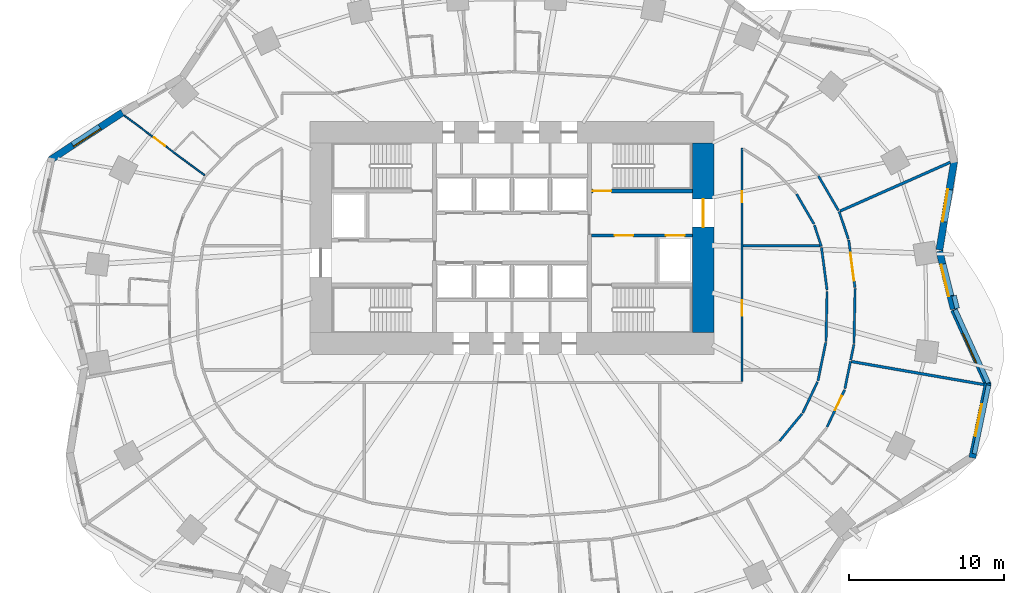
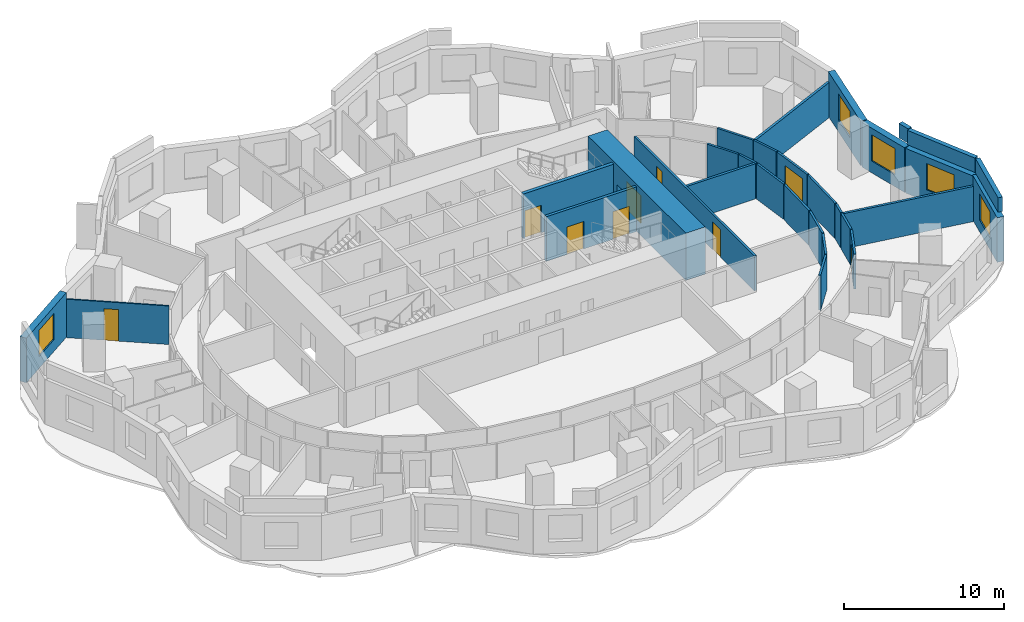
# One storey, part 7 of 11: 30 walls, 9 doors, 5 windows, 14 openings.
"""IFC4 building model written with IfcOpenShell, lengths in metres."""

from ifc_helpers import new_model, si_unit, direction, frame, frame_2d, origin, place, context, subcontext, project, spatial, rectangle, extrude, material, layer, layer_set, type_object, element, fill, save


model = new_model("IFC4")

# Units and contexts
model_context = context("Model", 3, precision=1e-05, world=origin(), true_north=direction((0.0, 1.0)))
body_context = subcontext(model_context, "Body", "Model", "MODEL_VIEW")
ifc_project = project(units=[si_unit("LENGTHUNIT", "METRE"), si_unit("AREAUNIT", "SQUARE_METRE"), si_unit("VOLUMEUNIT", "CUBIC_METRE"), si_unit("PLANEANGLEUNIT", "RADIAN"), si_unit("MASSUNIT", "GRAM", prefix="KILO")], contexts=[model_context])

# Site, building, storey
site_placement = place(None, origin())
site = spatial("IfcSite", under=ifc_project, at=site_placement, CompositionType="ELEMENT")
building_placement = place(site_placement, origin())
building = spatial("IfcBuilding", under=site, at=building_placement, Name="Rubra Terraces Tower", CompositionType="ELEMENT")
storey_placement = place(building_placement, frame((0.0, 0.0, 48.300048828125)))
storey = spatial("IfcBuildingStorey", under=building, at=storey_placement, Name="L09", CompositionType="ELEMENT", Elevation=48.300048828125)

# Walls
ifc_material_1 = material(Name="Twin plasterboard on staggered steel stud, acoustic mineral wool", Category="steel")
ifc_layer_1 = layer(ifc_material_1, 0.175048828125)
ifc_layer_set_1 = layer_set([ifc_layer_1], Name="Twin plasterboard on staggered steel stud, acoustic mineral wool")
wall_type_1 = type_object("IfcWallType", Name="ACOUSTIC PARTY WALL 175", PredefinedType="PARTITIONING", material=ifc_layer_set_1)
wall_1_placement = place(storey_placement, frame((30.36572265625, -4.93603515625, 0.0), z_axis=(0.0, 0.0, 1.0), x_axis=(-0.98521403611, 0.171328056817, 0.0)))
element("IfcWall", 1, at=wall_1_placement, inside=storey, type_object=wall_type_1, Name="PARTITION", PredefinedType="PARTITIONING", context=body_context, shape_type="SweptSolid", body=[
    extrude(rectangle(XDim=8.6396484375, YDim=0.175048828125, at=frame_2d((4.31982421875, 0.0))), origin(), (0.0, 0.0, 1.0), 2.679931640625),
])
wall_2_placement = place(storey_placement, frame((28.212646484375, 9.371337890625, 0.0), z_axis=(0.0, 0.0, 1.0), x_axis=(-0.914345064768, -0.404935923986, 0.0)))
element("IfcWall", 2, at=wall_2_placement, inside=storey, type_object=wall_type_1, Name="PARTITION", PredefinedType="PARTITIONING", context=body_context, shape_type="SweptSolid", body=[
    extrude(rectangle(XDim=7.76318359375, YDim=0.175048828125, at=frame_2d((3.881591796875, 0.0))), origin(), (0.0, 0.0, 1.0), 2.679931640625),
])
wall_3_placement = place(storey_placement, frame((14.875, 4.0, 0.0), z_axis=(0.0, 0.0, 1.0), x_axis=(1.0, 0.0, 0.0)))
element("IfcWall", 3, at=wall_3_placement, inside=storey, type_object=wall_type_1, Name="PARTITION", PredefinedType="PARTITIONING", context=body_context, shape_type="SweptSolid", body=[
    extrude(rectangle(XDim=4.941162109375, YDim=0.175048828125, at=frame_2d((2.470703125, 0.0))), origin(), (0.0, 0.0, 1.0), 2.679931640625),
])

# Wall, opening, window
ifc_material_2 = material(Name="Brick masonry red-brown", Category="masonry")
ifc_layer_2 = layer(ifc_material_2, 0.449951171875)
ifc_layer_set_2 = layer_set([ifc_layer_2], Name="Brick masonry red-brown")
wall_type_2 = type_object("IfcWallType", Name="Brick facade wall 450", PredefinedType="SOLIDWALL", material=ifc_layer_set_2)
wall_4_placement = place(storey_placement, frame((28.421875, -0.074951171875, 0.0), z_axis=(0.0, 0.0, 1.0), x_axis=(-0.239809222807, 0.970820033094, 0.0)))
wall_4 = element("IfcWall", 4, at=wall_4_placement, inside=storey, type_object=wall_type_2, Name="Facade wall L09 bay 1", PredefinedType="SOLIDWALL", context=body_context, shape_type="SweptSolid", body=[
    extrude(rectangle(XDim=3.8359375, YDim=0.449951171875, at=frame_2d((1.91796875, 0.0))), origin(), (0.0, 0.0, 1.0), 3.39990234375),
])
opening_1_placement = place(wall_4_placement, frame((0.867919921875, 0.0, 0.89990234375)))
opening_1 = element("IfcOpeningElement", 5, at=opening_1_placement, cuts=wall_4, Name="Opening W1", PredefinedType="OPENING", context=body_context, shape_type="SweptSolid", body=[
    extrude(rectangle(XDim=2.10009765625, YDim=2.0, at=frame_2d((1.050048828125, 1.0))), frame((0.0, 0.23486328125, 0.0), z_axis=(0.0, -1.0, 0.0), x_axis=(1.0, 0.0, 0.0)), (0.0, 0.0, 1.0), 0.469970703125),
])
ifc_material_3 = material(Name="Clear glass in aluminium frame", Category="aluminium")
window_type = type_object("IfcWindowType", Name="Fixed deep-set window 2100 x 2000", PartitioningType="SINGLE_PANEL", PredefinedType="WINDOW", material=ifc_material_3)
window_1_placement = place(opening_1_placement, origin())
window_1 = element("IfcWindow", 6, at=window_1_placement, inside=storey, type_object=window_type, Name="Window L09 bay 1", OverallHeight=2.0, OverallWidth=2.10009765625, PartitioningType="SINGLE_PANEL", PredefinedType="WINDOW", context=body_context, shape_type="SweptSolid", body=[
    extrude(rectangle(XDim=2.10009765625, YDim=2.0, at=frame_2d((1.050048828125, 1.0))), frame((0.0, 0.135009765625, 0.0), z_axis=(0.0, -1.0, 0.0), x_axis=(1.0, 0.0, 0.0)), (0.0, 0.0, 1.0), 0.06005859375),
])
fill(opening_1, window_1)

wall_5_placement = place(storey_placement, frame((27.50048828125, 3.732177734375, 0.0), z_axis=(0.0, 0.0, 1.0), x_axis=(0.165174419367, 0.986264371853, 0.0)))
wall_5 = element("IfcWall", 7, at=wall_5_placement, inside=storey, type_object=wall_type_2, Name="Facade wall L09 bay 2", PredefinedType="SOLIDWALL", context=body_context, shape_type="SweptSolid", body=[
    extrude(rectangle(XDim=5.76904296875, YDim=0.449951171875, at=frame_2d((2.884521484375, 0.0))), origin(), (0.0, 0.0, 1.0), 3.39990234375),
])
opening_2_placement = place(wall_5_placement, frame((1.83447265625, 0.0, 0.89990234375)))
opening_2 = element("IfcOpeningElement", 8, at=opening_2_placement, cuts=wall_5, Name="Opening W1", PredefinedType="OPENING", context=body_context, shape_type="SweptSolid", body=[
    extrude(rectangle(XDim=2.10009765625, YDim=2.0, at=frame_2d((1.050048828125, 1.0))), frame((0.0, 0.23486328125, 0.0), z_axis=(0.0, -1.0, 0.0), x_axis=(1.0, 0.0, 0.0)), (0.0, 0.0, 1.0), 0.469970703125),
])
window_2_placement = place(opening_2_placement, origin())
window_2 = element("IfcWindow", 9, at=window_2_placement, inside=storey, type_object=window_type, Name="Window L09 bay 2", OverallHeight=2.0, OverallWidth=2.10009765625, PartitioningType="SINGLE_PANEL", PredefinedType="WINDOW", context=body_context, shape_type="SweptSolid", body=[
    extrude(rectangle(XDim=2.10009765625, YDim=2.0, at=frame_2d((1.050048828125, 1.0))), frame((0.0, 0.135009765625, 0.0), z_axis=(0.0, -1.0, 0.0), x_axis=(1.0, 0.0, 0.0)), (0.0, 0.0, 1.0), 0.06005859375),
])
fill(opening_2, window_2)

wall_6_placement = place(storey_placement, frame((-25.06103515625, 12.573974609375, 0.0), z_axis=(0.0, 0.0, 1.0), x_axis=(-0.83520622102, -0.549936876714, 0.0)))
wall_6 = element("IfcWall", 10, at=wall_6_placement, inside=storey, type_object=wall_type_2, Name="Facade wall L09 bay 18", PredefinedType="SOLIDWALL", context=body_context, shape_type="SweptSolid", body=[
    extrude(rectangle(XDim=5.56982421875, YDim=0.449951171875, at=frame_2d((2.784912109375, 0.0))), origin(), (0.0, 0.0, 1.0), 3.39990234375),
])
opening_3_placement = place(wall_6_placement, frame((1.73486328125, 0.0, 0.89990234375)))
opening_3 = element("IfcOpeningElement", 11, at=opening_3_placement, cuts=wall_6, Name="Opening W1", PredefinedType="OPENING", context=body_context, shape_type="SweptSolid", body=[
    extrude(rectangle(XDim=2.10009765625, YDim=2.0, at=frame_2d((1.050048828125, 1.0))), frame((0.0, 0.23486328125, 0.0), z_axis=(0.0, -1.0, 0.0), x_axis=(1.0, 0.0, 0.0)), (0.0, 0.0, 1.0), 0.469970703125),
])
window_3_placement = place(opening_3_placement, origin())
window_3 = element("IfcWindow", 12, at=window_3_placement, inside=storey, type_object=window_type, Name="Window L09 bay 18", OverallHeight=2.0, OverallWidth=2.10009765625, PartitioningType="SINGLE_PANEL", PredefinedType="WINDOW", context=body_context, shape_type="SweptSolid", body=[
    extrude(rectangle(XDim=2.10009765625, YDim=2.0, at=frame_2d((1.050048828125, 1.0))), frame((0.0, 0.135009765625, 0.0), z_axis=(0.0, -1.0, 0.0), x_axis=(1.0, 0.0, 0.0)), (0.0, 0.0, 1.0), 0.06005859375),
])
fill(opening_3, window_3)

wall_7_placement = place(storey_placement, frame((29.62060546875, -9.650146484375, 0.0), z_axis=(0.0, 0.0, 1.0), x_axis=(0.203505836306, 0.979073732969, 0.0)))
wall_7 = element("IfcWall", 13, at=wall_7_placement, inside=storey, type_object=wall_type_2, Name="Facade wall L09 bay 39", PredefinedType="SOLIDWALL", context=body_context, shape_type="SweptSolid", body=[
    extrude(rectangle(XDim=4.913818359375, YDim=0.449951171875, at=frame_2d((2.45703125, 0.0))), origin(), (0.0, 0.0, 1.0), 3.39990234375),
])
opening_4_placement = place(wall_7_placement, frame((1.406982421875, 0.0, 0.89990234375)))
opening_4 = element("IfcOpeningElement", 14, at=opening_4_placement, cuts=wall_7, Name="Opening W1", PredefinedType="OPENING", context=body_context, shape_type="SweptSolid", body=[
    extrude(rectangle(XDim=2.10009765625, YDim=2.0, at=frame_2d((1.050048828125, 1.0))), frame((0.0, 0.23486328125, 0.0), z_axis=(0.0, -1.0, 0.0), x_axis=(1.0, 0.0, 0.0)), (0.0, 0.0, 1.0), 0.469970703125),
])
window_4_placement = place(opening_4_placement, origin())
window_4 = element("IfcWindow", 15, at=window_4_placement, inside=storey, type_object=window_type, Name="Window L09 bay 39", OverallHeight=2.0, OverallWidth=2.10009765625, PartitioningType="SINGLE_PANEL", PredefinedType="WINDOW", context=body_context, shape_type="SweptSolid", body=[
    extrude(rectangle(XDim=2.10009765625, YDim=2.0, at=frame_2d((1.050048828125, 1.0))), frame((0.0, 0.135009765625, 0.0), z_axis=(0.0, -1.0, 0.0), x_axis=(1.0, 0.0, 0.0)), (0.0, 0.0, 1.0), 0.06005859375),
])
fill(opening_4, window_4)

wall_8_placement = place(storey_placement, frame((30.633544921875, -4.972412109375, 0.0), z_axis=(0.0, 0.0, 1.0), x_axis=(-0.412494644758, 0.910960025493, 0.0)))
wall_8 = element("IfcWall", 16, at=wall_8_placement, inside=storey, type_object=wall_type_2, Name="Facade wall L09 bay 40", PredefinedType="SOLIDWALL", context=body_context, shape_type="SweptSolid", body=[
    extrude(rectangle(XDim=5.330322265625, YDim=0.449951171875, at=frame_2d((2.6650390625, 0.0))), origin(), (0.0, 0.0, 1.0), 3.39990234375),
])
opening_5_placement = place(wall_8_placement, frame((1.615234375, 0.0, 0.89990234375)))
opening_5 = element("IfcOpeningElement", 17, at=opening_5_placement, cuts=wall_8, Name="Opening W1", PredefinedType="OPENING", context=body_context, shape_type="SweptSolid", body=[
    extrude(rectangle(XDim=2.10009765625, YDim=2.0, at=frame_2d((1.050048828125, 1.0))), frame((0.0, 0.23486328125, 0.0), z_axis=(0.0, -1.0, 0.0), x_axis=(1.0, 0.0, 0.0)), (0.0, 0.0, 1.0), 0.469970703125),
])
window_5_placement = place(opening_5_placement, origin())
window_5 = element("IfcWindow", 18, at=window_5_placement, inside=storey, type_object=window_type, Name="Window L09 bay 40", OverallHeight=2.0, OverallWidth=2.10009765625, PartitioningType="SINGLE_PANEL", PredefinedType="WINDOW", context=body_context, shape_type="SweptSolid", body=[
    extrude(rectangle(XDim=2.10009765625, YDim=2.0, at=frame_2d((1.050048828125, 1.0))), frame((0.0, 0.135009765625, 0.0), z_axis=(0.0, -1.0, 0.0), x_axis=(1.0, 0.0, 0.0)), (0.0, 0.0, 1.0), 0.06005859375),
])
fill(opening_5, window_5)

# Walls
ifc_layer_3 = layer(ifc_material_2, 0.300048828125)
ifc_layer_set_3 = layer_set([ifc_layer_3], Name="Brick masonry red-brown")
wall_type_3 = type_object("IfcWallType", Name="Brick parapet 300", PredefinedType="PARAPET", material=ifc_layer_set_3)
wall_9_placement = place(storey_placement, frame((28.64208984375, -0.029296875, 3.599853515625), z_axis=(0.0, 0.0, 1.0), x_axis=(-0.239775825721, 0.970828282138, 0.0)))
element("IfcWall", 19, at=wall_9_placement, inside=storey, type_object=wall_type_3, Name="Parapet L09 bay 1", PredefinedType="PARAPET", context=body_context, shape_type="SweptSolid", body=[
    extrude(rectangle(XDim=0.8330078125, YDim=0.300048828125, at=frame_2d((0.41650390625, 0.0))), origin(), (0.0, 0.0, 1.0), 1.10009765625),
])
wall_10_placement = place(storey_placement, frame((29.75146484375, -9.389892578125, 3.599853515625), z_axis=(0.0, 0.0, 1.0), x_axis=(0.203510555438, 0.97907275206, 0.0)))
element("IfcWall", 20, at=wall_10_placement, inside=storey, type_object=wall_type_3, Name="Parapet L09 bay 39", PredefinedType="PARAPET", context=body_context, shape_type="SweptSolid", body=[
    extrude(rectangle(XDim=4.504638671875, YDim=0.300048828125, at=frame_2d((2.25244140625, 0.0))), origin(), (0.0, 0.0, 1.0), 1.10009765625),
])
wall_11_placement = place(storey_placement, frame((30.651611328125, -4.830322265625, 3.599853515625), z_axis=(0.0, 0.0, 1.0), x_axis=(-0.412522333553, 0.910947487136, 0.0)))
element("IfcWall", 21, at=wall_11_placement, inside=storey, type_object=wall_type_3, Name="Parapet L09 bay 40", PredefinedType="PARAPET", context=body_context, shape_type="SweptSolid", body=[
    extrude(rectangle(XDim=5.172607421875, YDim=0.300048828125, at=frame_2d((2.58642578125, 0.0))), origin(), (0.0, 0.0, 1.0), 1.10009765625),
])

# Wall, opening, door
ifc_material_4 = material(Name="Concrete C70", Category="concrete")
ifc_layer_4 = layer(ifc_material_4, 1.39990234375)
ifc_layer_set_4 = layer_set([ifc_layer_4], Name="Concrete C70")
wall_type_4 = type_object("IfcWallType", Name="CORE WALL 1400 C70", PredefinedType="SHEAR", material=ifc_layer_set_4)
wall_12_placement = place(storey_placement, frame((12.300048828125, -1.60009765625, 0.0), z_axis=(0.0, 0.0, 1.0), x_axis=(0.0, 1.0, 0.0)))
wall_12 = element("IfcWall", 22, at=wall_12_placement, inside=storey, type_object=wall_type_4, Name="CORE WALL E L09", PredefinedType="SHEAR", context=body_context, shape_type="SweptSolid", body=[
    extrude(rectangle(XDim=12.2001953125, YDim=1.39990234375, at=frame_2d((6.10009765625, 0.0))), origin(), (0.0, 0.0, 1.0), 3.599853515625),
])
opening_6_placement = place(wall_12_placement, frame((6.800048828125, 0.0, 0.0)))
opening_6 = element("IfcOpeningElement", 23, at=opening_6_placement, cuts=wall_12, Name="Opening L09.C02", PredefinedType="OPENING", context=body_context, shape_type="SweptSolid", body=[
    extrude(rectangle(XDim=1.800048828125, YDim=2.10009765625, at=frame_2d((0.89990234375, 1.050048828125))), frame((0.0, 0.7099609375, 0.0), z_axis=(0.0, -1.0, 0.0), x_axis=(1.0, 0.0, 0.0)), (0.0, 0.0, 1.0), 1.419921875),
])
ifc_material_5 = material(Name="Painted steel", Category="steel")
door_type_1 = type_object("IfcDoorType", Name="Fire door 1800x2100 double", OperationType="NOTDEFINED", PredefinedType="DOOR", material=ifc_material_5)
door_1_placement = place(opening_6_placement, origin())
door_1 = element("IfcDoor", 24, at=door_1_placement, inside=storey, type_object=door_type_1, Name="Core entrance door FF2", OperationType="DOUBLE_DOOR_SINGLE_SWING", OverallHeight=2.10009765625, OverallWidth=1.800048828125, PredefinedType="DOOR", context=body_context, shape_type="SweptSolid", body=[
    extrude(rectangle(XDim=1.800048828125, YDim=2.10009765625, at=frame_2d((0.89990234375, 1.050048828125))), frame((0.0, 0.02490234375, 0.0), z_axis=(0.0, -1.0, 0.0), x_axis=(1.0, 0.0, 0.0)), (0.0, 0.0, 1.0), 0.050048828125),
])
fill(opening_6, door_1)

ifc_material_6 = material(Name="Plasterboard on steel stud, mineral wool infill", Category="steel")
ifc_layer_5 = layer(ifc_material_6, 0.14990234375)
ifc_layer_set_5 = layer_set([ifc_layer_5], Name="Plasterboard on steel stud, mineral wool infill")
wall_type_5 = type_object("IfcWallType", Name="CORRIDOR PARTITION 150", PredefinedType="PARTITIONING", material=ifc_layer_set_5)
wall_13_placement = place(storey_placement, frame((20.2705078125, -7.669677734375, 0.0), z_axis=(0.0, 0.0, 1.0), x_axis=(0.427995478521, 0.903780875193, 0.0)))
wall_13 = element("IfcWall", 25, at=wall_13_placement, inside=storey, type_object=wall_type_5, Name="PARTITION", PredefinedType="PARTITIONING", context=body_context, shape_type="SweptSolid", body=[
    extrude(rectangle(XDim=2.656494140625, YDim=0.14990234375, at=frame_2d((1.328125, 0.0))), origin(), (0.0, 0.0, 1.0), 2.679931640625),
])
opening_7_placement = place(wall_13_placement, frame((1.199951171875, 0.0, 0.0)))
opening_7 = element("IfcOpeningElement", 26, at=opening_7_placement, cuts=wall_13, Name="Opening 09-125", PredefinedType="OPENING", context=body_context, shape_type="SweptSolid", body=[
    extrude(rectangle(XDim=1.0, YDim=2.10009765625, at=frame_2d((0.5, 1.050048828125))), frame((0.0, 0.0849609375, 0.0), z_axis=(0.0, -1.0, 0.0), x_axis=(1.0, 0.0, 0.0)), (0.0, 0.0, 1.0), 0.169921875),
])
ifc_material_7 = material(Name="Painted timber door leaf", Category="wood")
door_type_2 = type_object("IfcDoorType", Name="ROOM DOOR 1000 X 2100", OperationType="SINGLE_SWING_LEFT", PredefinedType="DOOR", material=ifc_material_7)
door_2_placement = place(opening_7_placement, origin())
door_2 = element("IfcDoor", 27, at=door_2_placement, inside=storey, type_object=door_type_2, Name="DOOR 09-125", OperationType="SINGLE_SWING_RIGHT", OverallHeight=2.10009765625, OverallWidth=1.0, PredefinedType="DOOR", context=body_context, shape_type="SweptSolid", body=[
    extrude(rectangle(XDim=1.0, YDim=2.10009765625, at=frame_2d((0.5, 1.050048828125))), frame((0.0, 0.02490234375, 0.0), z_axis=(0.0, -1.0, 0.0), x_axis=(1.0, 0.0, 0.0)), (0.0, 0.0, 1.0), 0.050048828125),
])
fill(opening_7, door_2)

# Walls
wall_14_placement = place(storey_placement, frame((21.422607421875, -5.1953125, 0.0), z_axis=(0.0, 0.0, 1.0), x_axis=(0.199711278169, 0.979854787901, 0.0)))
element("IfcWall", 28, at=wall_14_placement, inside=storey, type_object=wall_type_5, Name="PARTITION", PredefinedType="PARTITIONING", context=body_context, shape_type="SweptSolid", body=[
    extrude(rectangle(XDim=1.78857421875, YDim=0.14990234375, at=frame_2d((0.894287109375, 0.0))), origin(), (0.0, 0.0, 1.0), 2.679931640625),
])
wall_15_placement = place(storey_placement, frame((21.794921875, -3.369384765625, 0.0), z_axis=(0.0, 0.0, 1.0), x_axis=(0.199793439504, 0.979838038418, 0.0)))
element("IfcWall", 29, at=wall_15_placement, inside=storey, type_object=wall_type_5, Name="PARTITION", PredefinedType="PARTITIONING", context=body_context, shape_type="SweptSolid", body=[
    extrude(rectangle(XDim=1.03369140625, YDim=0.14990234375, at=frame_2d((0.516845703125, 0.0))), origin(), (0.0, 0.0, 1.0), 2.679931640625),
])
wall_16_placement = place(storey_placement, frame((22.003173828125, -2.281494140625, 0.0), z_axis=(0.0, 0.0, 1.0), x_axis=(0.021172866829, 0.999775829729, 0.0)))
element("IfcWall", 30, at=wall_16_placement, inside=storey, type_object=wall_type_5, Name="PARTITION", PredefinedType="PARTITIONING", context=body_context, shape_type="SweptSolid", body=[
    extrude(rectangle(XDim=3.516845703125, YDim=0.14990234375, at=frame_2d((1.75830078125, 0.0))), origin(), (0.0, 0.0, 1.0), 2.679931640625),
])

# Wall, opening, door
wall_17_placement = place(storey_placement, frame((22.06787109375, 1.30908203125, 0.0), z_axis=(0.0, 0.0, 1.0), x_axis=(-0.129922755307, 0.991524118543, 0.0)))
wall_17 = element("IfcWall", 31, at=wall_17_placement, inside=storey, type_object=wall_type_5, Name="PARTITION", PredefinedType="PARTITIONING", context=body_context, shape_type="SweptSolid", body=[
    extrude(rectangle(XDim=3.076171875, YDim=0.14990234375, at=frame_2d((1.5380859375, 0.0))), origin(), (0.0, 0.0, 1.0), 2.679931640625),
])
opening_8_placement = place(wall_17_placement, frame((0.449951171875, 0.0, 0.0)))
opening_8 = element("IfcOpeningElement", 32, at=opening_8_placement, cuts=wall_17, Name="Opening 09-126", PredefinedType="OPENING", context=body_context, shape_type="SweptSolid", body=[
    extrude(rectangle(XDim=1.800048828125, YDim=2.10009765625, at=frame_2d((0.89990234375, 1.050048828125))), frame((0.0, 0.0849609375, 0.0), z_axis=(0.0, -1.0, 0.0), x_axis=(1.0, 0.0, 0.0)), (0.0, 0.0, 1.0), 0.169921875),
])
ifc_material_8 = material(Name="Painted timber door leaf, double", Category="wood")
door_type_3 = type_object("IfcDoorType", Name="ROOM DOUBLE DOOR 1800 X 2100", OperationType="DOUBLE_DOOR_SINGLE_SWING", PredefinedType="DOOR", material=ifc_material_8)
door_3_placement = place(opening_8_placement, origin())
door_3 = element("IfcDoor", 33, at=door_3_placement, inside=storey, type_object=door_type_3, Name="DOOR 09-126", OperationType="DOUBLE_DOOR_SINGLE_SWING", OverallHeight=2.10009765625, OverallWidth=1.800048828125, PredefinedType="DOOR", context=body_context, shape_type="SweptSolid", body=[
    extrude(rectangle(XDim=1.800048828125, YDim=2.10009765625, at=frame_2d((0.89990234375, 1.050048828125))), frame((0.0, 0.02490234375, 0.0), z_axis=(0.0, -1.0, 0.0), x_axis=(1.0, 0.0, 0.0)), (0.0, 0.0, 1.0), 0.050048828125),
])
fill(opening_8, door_3)

# Walls
wall_18_placement = place(storey_placement, frame((21.644287109375, 4.43017578125, 0.0), z_axis=(0.0, 0.0, 1.0), x_axis=(-0.320738869387, 0.9471676608, 0.0)))
element("IfcWall", 34, at=wall_18_placement, inside=storey, type_object=wall_type_5, Name="PARTITION", PredefinedType="PARTITIONING", context=body_context, shape_type="SweptSolid", body=[
    extrude(rectangle(XDim=1.86572265625, YDim=0.14990234375, at=frame_2d((0.932861328125, 0.0))), origin(), (0.0, 0.0, 1.0), 2.679931640625),
])
wall_19_placement = place(storey_placement, frame((21.00830078125, 6.26220703125, 0.0), z_axis=(0.0, 0.0, 1.0), x_axis=(-0.502366583903, 0.864654737671, 0.0)))
element("IfcWall", 35, at=wall_19_placement, inside=storey, type_object=wall_type_5, Name="PARTITION", PredefinedType="PARTITIONING", context=body_context, shape_type="SweptSolid", body=[
    extrude(rectangle(XDim=2.57421875, YDim=0.14990234375, at=frame_2d((1.287109375, 0.0))), origin(), (0.0, 0.0, 1.0), 2.679931640625),
])

# Wall, openings, doors
wall_20_placement = place(storey_placement, frame((14.800048828125, -4.72509765625, 0.0), z_axis=(0.0, 0.0, 1.0), x_axis=(0.0, 1.0, 0.0)))
wall_20 = element("IfcWall", 36, at=wall_20_placement, inside=storey, type_object=wall_type_5, Name="PARTITION", PredefinedType="PARTITIONING", context=body_context, shape_type="SweptSolid", body=[
    extrude(rectangle(XDim=15.00830078125, YDim=0.14990234375, at=frame_2d((7.504150390625, 0.0))), origin(), (0.0, 0.0, 1.0), 2.679931640625),
])
opening_9_placement = place(wall_20_placement, frame((11.51611328125, 0.0, 0.0)))
opening_9 = element("IfcOpeningElement", 37, at=opening_9_placement, cuts=wall_20, Name="Opening 09-135", PredefinedType="OPENING", context=body_context, shape_type="SweptSolid", body=[
    extrude(rectangle(XDim=0.699951171875, YDim=2.10009765625, at=frame_2d((0.35009765625, 1.050048828125))), frame((0.0, 0.0849609375, 0.0), z_axis=(0.0, -1.0, 0.0), x_axis=(1.0, 0.0, 0.0)), (0.0, 0.0, 1.0), 0.169921875),
])
opening_10_placement = place(wall_20_placement, frame((4.22509765625, 0.0, 0.0)))
opening_10 = element("IfcOpeningElement", 38, at=opening_10_placement, cuts=wall_20, Name="Opening 09-136", PredefinedType="OPENING", context=body_context, shape_type="SweptSolid", body=[
    extrude(rectangle(XDim=1.0, YDim=2.10009765625, at=frame_2d((0.5, 1.050048828125))), frame((0.0, 0.0849609375, 0.0), z_axis=(0.0, -1.0, 0.0), x_axis=(1.0, 0.0, 0.0)), (0.0, 0.0, 1.0), 0.169921875),
])
door_4_placement = place(opening_10_placement, origin())
door_4 = element("IfcDoor", 39, at=door_4_placement, inside=storey, type_object=door_type_2, Name="DOOR 09-136", OperationType="SINGLE_SWING_RIGHT", OverallHeight=2.10009765625, OverallWidth=1.0, PredefinedType="DOOR", context=body_context, shape_type="SweptSolid", body=[
    extrude(rectangle(XDim=1.0, YDim=2.10009765625, at=frame_2d((0.5, 1.050048828125))), frame((0.0, 0.02490234375, 0.0), z_axis=(0.0, -1.0, 0.0), x_axis=(1.0, 0.0, 0.0)), (0.0, 0.0, 1.0), 0.050048828125),
])
fill(opening_10, door_4)
door_type_4 = type_object("IfcDoorType", Name="STORE DOOR 700 X 2100", OperationType="SINGLE_SWING_LEFT", PredefinedType="DOOR", material=ifc_material_7)
door_5_placement = place(opening_9_placement, origin())
door_5 = element("IfcDoor", 40, at=door_5_placement, inside=storey, type_object=door_type_4, Name="DOOR 09-135", OperationType="SINGLE_SWING_RIGHT", OverallHeight=2.10009765625, OverallWidth=0.699951171875, PredefinedType="DOOR", context=body_context, shape_type="SweptSolid", body=[
    extrude(rectangle(XDim=0.699951171875, YDim=2.10009765625, at=frame_2d((0.35009765625, 1.050048828125))), frame((0.0, 0.02490234375, 0.0), z_axis=(0.0, -1.0, 0.0), x_axis=(1.0, 0.0, 0.0)), (0.0, 0.0, 1.0), 0.050048828125),
])
fill(opening_9, door_5)

# Walls
wall_21_placement = place(storey_placement, frame((18.306396484375, 7.329345703125, 0.0), z_axis=(0.0, 0.0, 1.0), x_axis=(0.502425081691, -0.864620747662, 0.0)))
element("IfcWall", 41, at=wall_21_placement, inside=storey, type_object=wall_type_5, Name="PARTITION", PredefinedType="PARTITIONING", context=body_context, shape_type="SweptSolid", body=[
    extrude(rectangle(XDim=2.2373046875, YDim=0.14990234375, at=frame_2d((1.11865234375, 0.0))), origin(), (0.0, 0.0, 1.0), 2.679931640625),
])
wall_22_placement = place(storey_placement, frame((19.453857421875, 5.32373046875, 0.0), z_axis=(0.0, 0.0, 1.0), x_axis=(0.313632756375, -0.949544361327, 0.0)))
element("IfcWall", 42, at=wall_22_placement, inside=storey, type_object=wall_type_5, Name="PARTITION", PredefinedType="PARTITIONING", context=body_context, shape_type="SweptSolid", body=[
    extrude(rectangle(XDim=1.440185546875, YDim=0.14990234375, at=frame_2d((0.72021484375, 0.0))), origin(), (0.0, 0.0, 1.0), 2.679931640625),
])
wall_23_placement = place(storey_placement, frame((19.915283203125, 3.882080078125, 0.0), z_axis=(0.0, 0.0, 1.0), x_axis=(0.129945947446, -0.991521079323, 0.0)))
element("IfcWall", 43, at=wall_23_placement, inside=storey, type_object=wall_type_5, Name="PARTITION", PredefinedType="PARTITIONING", context=body_context, shape_type="SweptSolid", body=[
    extrude(rectangle(XDim=2.769287109375, YDim=0.14990234375, at=frame_2d((1.384765625, 0.0))), origin(), (0.0, 0.0, 1.0), 2.679931640625),
])
wall_24_placement = place(storey_placement, frame((20.2734375, 1.061279296875, 0.0), z_axis=(0.0, 0.0, 1.0), x_axis=(-0.021166906337, -0.99977595594, 0.0)))
element("IfcWall", 44, at=wall_24_placement, inside=storey, type_object=wall_type_5, Name="PARTITION", PredefinedType="PARTITIONING", context=body_context, shape_type="SweptSolid", body=[
    extrude(rectangle(XDim=3.218017578125, YDim=0.14990234375, at=frame_2d((1.60888671875, 0.0))), origin(), (0.0, 0.0, 1.0), 2.679931640625),
])
wall_25_placement = place(storey_placement, frame((20.190185546875, -2.2294921875, 0.0), z_axis=(0.0, 0.0, 1.0), x_axis=(-0.199752828647, -0.97984631828, 0.0)))
element("IfcWall", 45, at=wall_25_placement, inside=storey, type_object=wall_type_5, Name="PARTITION", PredefinedType="PARTITIONING", context=body_context, shape_type="SweptSolid", body=[
    extrude(rectangle(XDim=2.5166015625, YDim=0.14990234375, at=frame_2d((1.25830078125, 0.0))), origin(), (0.0, 0.0, 1.0), 2.679931640625),
])
wall_26_placement = place(storey_placement, frame((19.6552734375, -4.76318359375, 0.0), z_axis=(0.0, 0.0, 1.0), x_axis=(-0.427972604023, -0.903791707312, 0.0)))
element("IfcWall", 46, at=wall_26_placement, inside=storey, type_object=wall_type_5, Name="PARTITION", PredefinedType="PARTITIONING", context=body_context, shape_type="SweptSolid", body=[
    extrude(rectangle(XDim=2.214599609375, YDim=0.14990234375, at=frame_2d((1.107421875, 0.0))), origin(), (0.0, 0.0, 1.0), 2.679931640625),
])
wall_27_placement = place(storey_placement, frame((18.659912109375, -6.822509765625, 0.0), z_axis=(0.0, 0.0, 1.0), x_axis=(-0.636575205534, -0.771214631409, 0.0)))
element("IfcWall", 47, at=wall_27_placement, inside=storey, type_object=wall_type_5, Name="PARTITION", PredefinedType="PARTITIONING", context=body_context, shape_type="SweptSolid", body=[
    extrude(rectangle(XDim=2.2666015625, YDim=0.14990234375, at=frame_2d((1.13330078125, 0.0))), origin(), (0.0, 0.0, 1.0), 2.679931640625),
])

# Wall, openings, doors
ifc_material_9 = material(Name="Concrete C30", Category="concrete")
ifc_layer_6 = layer(ifc_material_9, 0.199951171875)
ifc_layer_set_6 = layer_set([ifc_layer_6], Name="Concrete C30")
wall_type_6 = type_object("IfcWallType", Name="Core wall 200 concrete", PredefinedType="SOLIDWALL", material=ifc_layer_set_6)
wall_28_placement = place(storey_placement, frame((11.60009765625, 4.64990234375, 0.0), z_axis=(0.0, 0.0, 1.0), x_axis=(-1.0, 0.0, 0.0)))
wall_28 = element("IfcWall", 48, at=wall_28_placement, inside=storey, type_object=wall_type_6, Name="STAIR WALL L09", PredefinedType="SOLIDWALL", context=body_context, shape_type="SweptSolid", body=[
    extrude(rectangle(XDim=6.5, YDim=0.199951171875, at=frame_2d((3.25, 0.0))), origin(), (0.0, 0.0, 1.0), 3.39990234375),
])
opening_11_placement = place(wall_28_placement, frame((3.800048828125, 0.0, 0.0)))
opening_11 = element("IfcOpeningElement", 49, at=opening_11_placement, cuts=wall_28, Name="Opening L09.C06", PredefinedType="OPENING", context=body_context, shape_type="SweptSolid", body=[
    extrude(rectangle(XDim=1.199951171875, YDim=2.10009765625, at=frame_2d((0.60009765625, 1.050048828125))), frame((0.0, 0.10986328125, 0.0), z_axis=(0.0, -1.0, 0.0), x_axis=(1.0, 0.0, 0.0)), (0.0, 0.0, 1.0), 0.219970703125),
])
opening_12_placement = place(wall_28_placement, frame((0.5, 0.0, 0.0)))
opening_12 = element("IfcOpeningElement", 50, at=opening_12_placement, cuts=wall_28, Name="Opening L09.C12", PredefinedType="OPENING", context=body_context, shape_type="SweptSolid", body=[
    extrude(rectangle(XDim=1.199951171875, YDim=2.10009765625, at=frame_2d((0.60009765625, 1.050048828125))), frame((0.0, 0.10986328125, 0.0), z_axis=(0.0, -1.0, 0.0), x_axis=(1.0, 0.0, 0.0)), (0.0, 0.0, 1.0), 0.219970703125),
])
door_type_5 = type_object("IfcDoorType", Name="Fire door 1200x2100 single", OperationType="NOTDEFINED", PredefinedType="DOOR", material=ifc_material_5)
door_6_placement = place(opening_11_placement, origin())
door_6 = element("IfcDoor", 51, at=door_6_placement, inside=storey, type_object=door_type_5, Name="Stair vestibule door S4", OperationType="SINGLE_SWING_RIGHT", OverallHeight=2.10009765625, OverallWidth=1.199951171875, PredefinedType="DOOR", context=body_context, shape_type="SweptSolid", body=[
    extrude(rectangle(XDim=1.199951171875, YDim=2.10009765625, at=frame_2d((0.60009765625, 1.050048828125))), frame((0.0, 0.02490234375, 0.0), z_axis=(0.0, -1.0, 0.0), x_axis=(1.0, 0.0, 0.0)), (0.0, 0.0, 1.0), 0.050048828125),
])
fill(opening_11, door_6)
ifc_material_10 = material(Name="Stainless steel", Category="steel")
door_type_6 = type_object("IfcDoorType", Name="Lift landing door 1200x2100", OperationType="NOTDEFINED", PredefinedType="DOOR", material=ifc_material_10)
door_7_placement = place(opening_12_placement, origin())
door_7 = element("IfcDoor", 52, at=door_7_placement, inside=storey, type_object=door_type_6, Name="Landing door FF2", OperationType="SLIDING_TO_RIGHT", OverallHeight=2.10009765625, OverallWidth=1.199951171875, PredefinedType="DOOR", context=body_context, shape_type="SweptSolid", body=[
    extrude(rectangle(XDim=1.199951171875, YDim=2.10009765625, at=frame_2d((0.60009765625, 1.050048828125))), frame((0.0, 0.02490234375, 0.0), z_axis=(0.0, -1.0, 0.0), x_axis=(1.0, 0.0, 0.0)), (0.0, 0.0, 1.0), 0.050048828125),
])
fill(opening_12, door_7)

# Wall, opening, door
ifc_material_11 = material(Name="Plasterboard on steel stud", Category="steel")
ifc_layer_7 = layer(ifc_material_11, 0.10009765625)
ifc_layer_set_7 = layer_set([ifc_layer_7], Name="Plasterboard on steel stud")
wall_type_7 = type_object("IfcWallType", Name="ROOM PARTITION 100", PredefinedType="PARTITIONING", material=ifc_layer_set_7)
wall_29_placement = place(storey_placement, frame((-24.9462890625, 12.375, 0.0), z_axis=(0.0, 0.0, 1.0), x_axis=(0.802204519976, -0.597049334754, 0.0)))
wall_29 = element("IfcWall", 53, at=wall_29_placement, inside=storey, type_object=wall_type_7, Name="PARTITION", PredefinedType="PARTITIONING", context=body_context, shape_type="SweptSolid", body=[
    extrude(rectangle(XDim=6.44287109375, YDim=0.10009765625, at=frame_2d((3.221435546875, 0.0))), origin(), (0.0, 0.0, 1.0), 2.933837890625),
])
opening_13_placement = place(wall_29_placement, frame((2.367919921875, 0.0, 0.0)))
opening_13 = element("IfcOpeningElement", 54, at=opening_13_placement, cuts=wall_29, Name="Opening 09-108", PredefinedType="OPENING", context=body_context, shape_type="SweptSolid", body=[
    extrude(rectangle(XDim=0.89990234375, YDim=2.39990234375, at=frame_2d((0.449951171875, 1.199951171875))), frame((0.0, 0.06005859375, 0.0), z_axis=(0.0, -1.0, 0.0), x_axis=(1.0, 0.0, 0.0)), (0.0, 0.0, 1.0), 0.1201171875),
])
ifc_material_12 = material(Name="Veneered timber door leaf, fire-rated", Category="wood")
door_type_7 = type_object("IfcDoorType", Name="SUITE ENTRANCE DOOR 900 X 2400", OperationType="SINGLE_SWING_LEFT", PredefinedType="DOOR", material=ifc_material_12)
door_8_placement = place(opening_13_placement, origin())
door_8 = element("IfcDoor", 55, at=door_8_placement, inside=storey, type_object=door_type_7, Name="DOOR 09-108", OperationType="SINGLE_SWING_LEFT", OverallHeight=2.39990234375, OverallWidth=0.89990234375, PredefinedType="DOOR", context=body_context, shape_type="SweptSolid", body=[
    extrude(rectangle(XDim=0.89990234375, YDim=2.39990234375, at=frame_2d((0.449951171875, 1.199951171875))), frame((0.0, 0.02490234375, 0.0), z_axis=(0.0, -1.0, 0.0), x_axis=(1.0, 0.0, 0.0)), (0.0, 0.0, 1.0), 0.050048828125),
])
fill(opening_13, door_8)

ifc_material_13 = material(Name="Concrete C40", Category="concrete")
ifc_layer_8 = layer(ifc_material_13, 0.25)
ifc_layer_set_8 = layer_set([ifc_layer_8], Name="Concrete C40")
wall_type_8 = type_object("IfcWallType", Name="Stair enclosure wall 250 concrete", PredefinedType="SOLIDWALL", material=ifc_layer_set_8)
wall_30_placement = place(storey_placement, frame((11.60009765625, 7.52490234375, 0.0), z_axis=(0.0, 0.0, 1.0), x_axis=(-1.0, 0.0, 0.0)))
wall_30 = element("IfcWall", 56, at=wall_30_placement, inside=storey, type_object=wall_type_8, Name="STAIR WALL L09", PredefinedType="SOLIDWALL", context=body_context, shape_type="SweptSolid", body=[
    extrude(rectangle(XDim=6.5, YDim=0.25, at=frame_2d((3.25, 0.0))), origin(), (0.0, 0.0, 1.0), 3.39990234375),
])
opening_14_placement = place(wall_30_placement, frame((5.199951171875, 0.0, 0.0)))
opening_14 = element("IfcOpeningElement", 57, at=opening_14_placement, cuts=wall_30, Name="Opening L09.C08", PredefinedType="OPENING", context=body_context, shape_type="SweptSolid", body=[
    extrude(rectangle(XDim=1.199951171875, YDim=2.10009765625, at=frame_2d((0.60009765625, 1.050048828125))), frame((0.0, 0.135009765625, 0.0), z_axis=(0.0, -1.0, 0.0), x_axis=(1.0, 0.0, 0.0)), (0.0, 0.0, 1.0), 0.27001953125),
])
door_9_placement = place(opening_14_placement, origin())
door_9 = element("IfcDoor", 58, at=door_9_placement, inside=storey, type_object=door_type_5, Name="Stair door S3", OperationType="SINGLE_SWING_RIGHT", OverallHeight=2.10009765625, OverallWidth=1.199951171875, PredefinedType="DOOR", context=body_context, shape_type="SweptSolid", body=[
    extrude(rectangle(XDim=1.199951171875, YDim=2.10009765625, at=frame_2d((0.60009765625, 1.050048828125))), frame((0.0, 0.02490234375, 0.0), z_axis=(0.0, -1.0, 0.0), x_axis=(1.0, 0.0, 0.0)), (0.0, 0.0, 1.0), 0.050048828125),
])
fill(opening_14, door_9)

save(model, "model.ifc")
